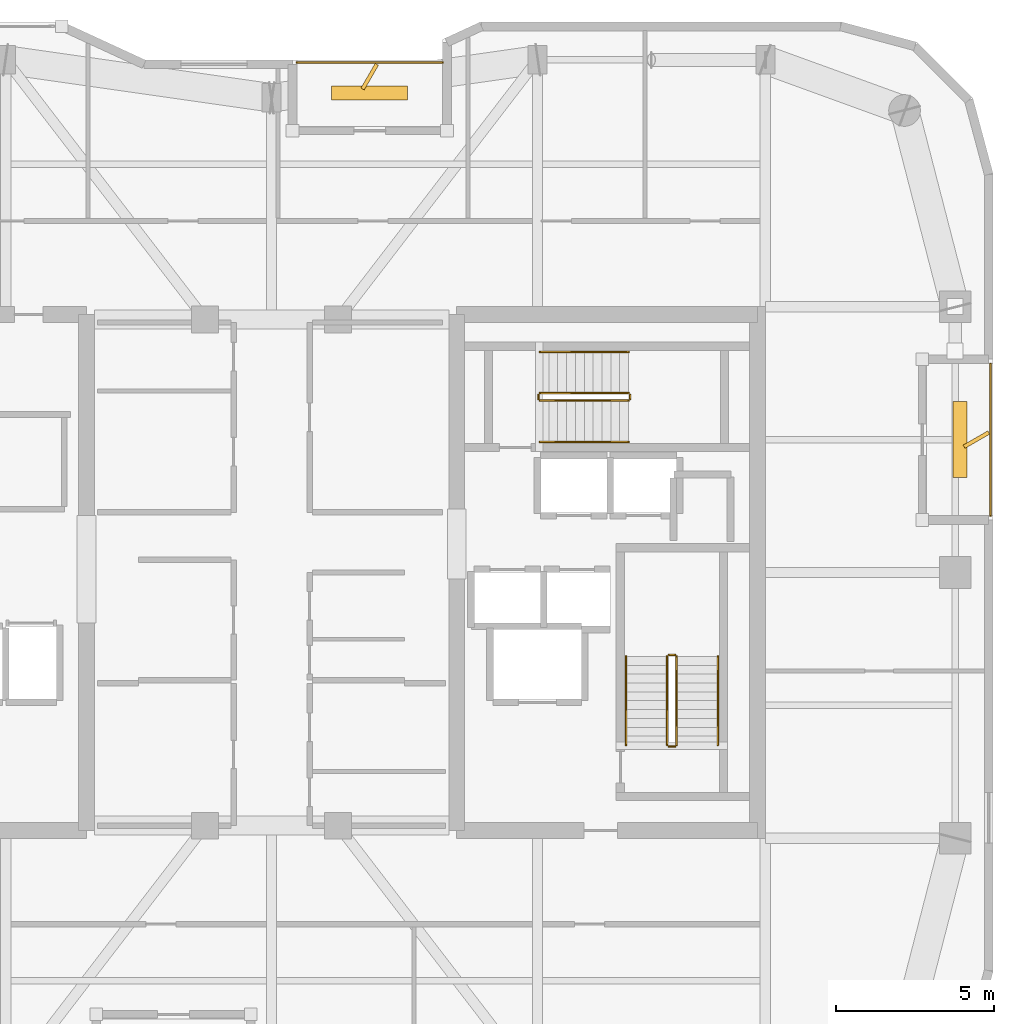
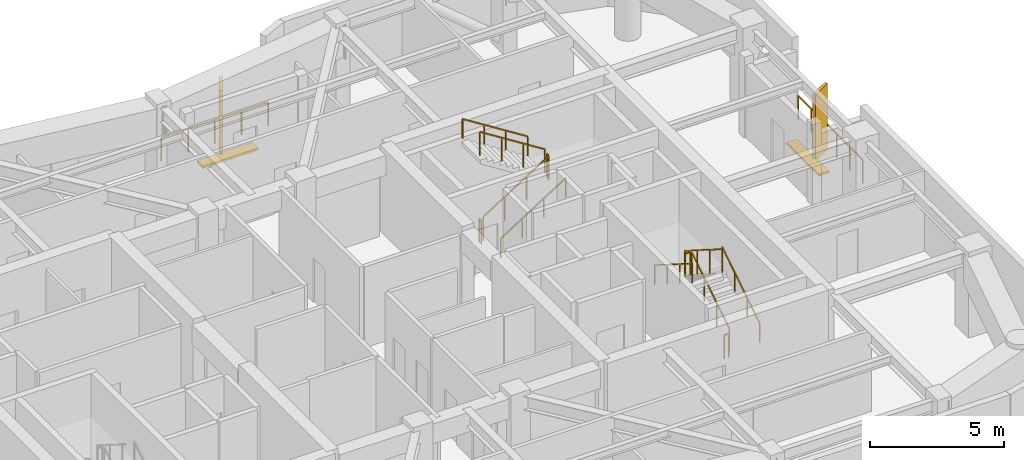
# One storey, part 15 of 15: 14 railings, 4 shading devices.
"""IFC4 building model written with IfcOpenShell, lengths in metres."""

from ifc_helpers import new_model, si_unit, direction, frame, origin, origin_2d, place, context, subcontext, project, spatial, rectangle, extrude, material, type_object, element, save


model = new_model("IFC4")

# Units and contexts
model_context = context("Model", 3, precision=1e-05, world=origin(), true_north=direction((0.0, 1.0)))
body_context = subcontext(model_context, "Body", "Model", "MODEL_VIEW")
ifc_project = project(units=[si_unit("LENGTHUNIT", "METRE"), si_unit("AREAUNIT", "SQUARE_METRE"), si_unit("VOLUMEUNIT", "CUBIC_METRE"), si_unit("PLANEANGLEUNIT", "RADIAN"), si_unit("MASSUNIT", "GRAM", prefix="KILO")], contexts=[model_context])

# Site, building, storey
site_placement = place(None, origin())
site = spatial("IfcSite", under=ifc_project, at=site_placement, CompositionType="ELEMENT")
building_placement = place(site_placement, origin())
building = spatial("IfcBuilding", under=site, at=building_placement, Name="Kiyonajd Concourse Tower", CompositionType="ELEMENT")
storey_placement = place(building_placement, frame((0.0, 0.0, 262.800048828125)))
storey = spatial("IfcBuildingStorey", under=building, at=storey_placement, Name="L66", CompositionType="ELEMENT", Elevation=262.800048828125)

# Railings
ifc_material_1 = material(Name="Thermally Broken Anodised Aluminium", Category="aluminium")
railing_type_1 = type_object("IfcRailingType", Name="RL-GRD-LOG", PredefinedType="GUARDRAIL", material=ifc_material_1)
railing_1_placement = place(storey_placement, frame((53.39990234375, 52.1201171875, 0.0)))
element("IfcRailing", 1, at=railing_1_placement, inside=storey, type_object=railing_type_1, Name="L66 Engawa Loggia Perimeter Guard LOG-N", PredefinedType="GUARDRAIL", context=body_context, shape_type="SweptSolid", body=[
    extrude(rectangle(XDim=0.048095703125, YDim=0.048095703125, at=origin_2d()), frame((0.0, 0.0, 1.076171875), z_axis=(-1.0, 0.0, 0.0), x_axis=(0.0, -1.0, 0.0)), (0.0, 0.0, 1.0), 4.599853515625),
    extrude(rectangle(XDim=0.0419921875, YDim=0.0419921875, at=origin_2d()), origin(), (0.0, 0.0, 1.0), 1.052001953125),
    extrude(rectangle(XDim=0.0419921875, YDim=0.0419921875, at=origin_2d()), frame((-1.14990234375, 0.0, 0.0)), (0.0, 0.0, 1.0), 1.052001953125),
    extrude(rectangle(XDim=0.0419921875, YDim=0.0419921875, at=origin_2d()), frame((-2.2998046875, 0.0, 0.0)), (0.0, 0.0, 1.0), 1.052001953125),
    extrude(rectangle(XDim=0.0419921875, YDim=0.0419921875, at=origin_2d()), frame((-3.449951171875, 0.0, 0.0)), (0.0, 0.0, 1.0), 1.052001953125),
    extrude(rectangle(XDim=0.0419921875, YDim=0.0419921875, at=origin_2d()), frame((-4.599853515625, 0.0, 0.0)), (0.0, 0.0, 1.0), 1.052001953125),
])
railing_2_placement = place(storey_placement, frame((70.719970703125, 37.800048828125, 0.0)))
element("IfcRailing", 2, at=railing_2_placement, inside=storey, type_object=railing_type_1, Name="L66 Engawa Loggia Perimeter Guard LOG-E", PredefinedType="GUARDRAIL", context=body_context, shape_type="SweptSolid", body=[
    extrude(rectangle(XDim=0.048095703125, YDim=0.048095703125, at=origin_2d()), frame((0.0, 0.0, 1.076171875), z_axis=(0.0, 1.0, 0.0), x_axis=(-1.0, 0.0, 0.0)), (0.0, 0.0, 1.0), 4.800048828125),
    extrude(rectangle(XDim=0.0419921875, YDim=0.0419921875, at=origin_2d()), origin(), (0.0, 0.0, 1.0), 1.052001953125),
    extrude(rectangle(XDim=0.0419921875, YDim=0.0419921875, at=origin_2d()), frame((0.0, 0.9599609375, 0.0)), (0.0, 0.0, 1.0), 1.052001953125),
    extrude(rectangle(XDim=0.0419921875, YDim=0.0419921875, at=origin_2d()), frame((0.0, 1.919921875, 0.0)), (0.0, 0.0, 1.0), 1.052001953125),
    extrude(rectangle(XDim=0.0419921875, YDim=0.0419921875, at=origin_2d()), frame((0.0, 2.880126953125, 0.0)), (0.0, 0.0, 1.0), 1.052001953125),
    extrude(rectangle(XDim=0.0419921875, YDim=0.0419921875, at=origin_2d()), frame((0.0, 3.840087890625, 0.0)), (0.0, 0.0, 1.0), 1.052001953125),
    extrude(rectangle(XDim=0.0419921875, YDim=0.0419921875, at=origin_2d()), frame((0.0, 4.800048828125, 0.0)), (0.0, 0.0, 1.0), 1.052001953125),
])
ifc_material_2 = material(Name="Steel ASTM A500 Grade C", Category="steel")
railing_type_2 = type_object("IfcRailingType", Name="RL-GRD-STR", PredefinedType="GUARDRAIL", material=ifc_material_2)
railing_3_placement = place(storey_placement, frame((60.800048828125, 30.550048828125, 0.17724609375)))
element("IfcRailing", 3, at=railing_3_placement, inside=storey, type_object=railing_type_2, Name="L66 ST2 stair guard 1", PredefinedType="GUARDRAIL", context=body_context, shape_type="SweptSolid", body=[
    extrude(rectangle(XDim=0.048095703125, YDim=0.048095703125, at=origin_2d()), frame((0.0, 0.0, 1.076171875), z_axis=(0.0, 0.844908973607, 0.534910110503), x_axis=(-1.0, 0.0, 0.0)), (0.0, 0.0, 1.0), 3.31396484375),
    extrude(rectangle(XDim=0.0419921875, YDim=0.0419921875, at=origin_2d()), origin(), (0.0, 0.0, 1.0), 1.052001953125),
    extrude(rectangle(XDim=0.0419921875, YDim=0.0419921875, at=origin_2d()), frame((0.0, 0.933349609375, 0.5908203125)), (0.0, 0.0, 1.0), 1.052001953125),
    extrude(rectangle(XDim=0.0419921875, YDim=0.0419921875, at=origin_2d()), frame((0.0, 1.86669921875, 1.181884765625)), (0.0, 0.0, 1.0), 1.052001953125),
    extrude(rectangle(XDim=0.0419921875, YDim=0.0419921875, at=origin_2d()), frame((0.0, 2.800048828125, 1.772705078125)), (0.0, 0.0, 1.0), 1.052001953125),
])
railing_4_placement = place(storey_placement, frame((60.75, 33.39990234375, 1.949951171875)))
element("IfcRailing", 4, at=railing_4_placement, inside=storey, type_object=railing_type_2, Name="L66 ST2 stair guard 2", PredefinedType="GUARDRAIL", context=body_context, shape_type="SweptSolid", body=[
    extrude(rectangle(XDim=0.048095703125, YDim=0.048095703125, at=origin_2d()), frame((0.0, 0.0, 1.076171875), z_axis=(-1.0, 0.0, 0.0), x_axis=(0.0, -1.0, 0.0)), (0.0, 0.0, 1.0), 0.199951171875),
    extrude(rectangle(XDim=0.0419921875, YDim=0.0419921875, at=origin_2d()), origin(), (0.0, 0.0, 1.0), 1.052001953125),
    extrude(rectangle(XDim=0.0419921875, YDim=0.0419921875, at=origin_2d()), frame((-0.199951171875, 0.0, 0.0)), (0.0, 0.0, 1.0), 1.052001953125),
])
railing_5_placement = place(storey_placement, frame((60.5, 33.35009765625, 2.127197265625)))
element("IfcRailing", 5, at=railing_5_placement, inside=storey, type_object=railing_type_2, Name="L66 ST2 stair guard 3", PredefinedType="GUARDRAIL", context=body_context, shape_type="SweptSolid", body=[
    extrude(rectangle(XDim=0.048095703125, YDim=0.048095703125, at=origin_2d()), frame((0.0, 0.0, 1.076171875), z_axis=(0.0, -0.844908973607, 0.534910110503), x_axis=(1.0, 0.0, 0.0)), (0.0, 0.0, 1.0), 3.31396484375),
    extrude(rectangle(XDim=0.0419921875, YDim=0.0419921875, at=origin_2d()), origin(), (0.0, 0.0, 1.0), 1.052001953125),
    extrude(rectangle(XDim=0.0419921875, YDim=0.0419921875, at=origin_2d()), frame((0.0, -0.933349609375, 0.5908203125)), (0.0, 0.0, 1.0), 1.052001953125),
    extrude(rectangle(XDim=0.0419921875, YDim=0.0419921875, at=origin_2d()), frame((0.0, -1.86669921875, 1.181884765625)), (0.0, 0.0, 1.0), 1.052001953125),
    extrude(rectangle(XDim=0.0419921875, YDim=0.0419921875, at=origin_2d()), frame((0.0, -2.800048828125, 1.772705078125)), (0.0, 0.0, 1.0), 1.052001953125),
])
railing_6_placement = place(storey_placement, frame((60.75, 30.5, 0.0)))
element("IfcRailing", 6, at=railing_6_placement, inside=storey, type_object=railing_type_2, Name="L66 ST2 stair guard 4", PredefinedType="GUARDRAIL", context=body_context, shape_type="SweptSolid", body=[
    extrude(rectangle(XDim=0.048095703125, YDim=0.048095703125, at=origin_2d()), frame((0.0, 0.0, 1.076171875), z_axis=(-1.0, 0.0, 0.0), x_axis=(0.0, -1.0, 0.0)), (0.0, 0.0, 1.0), 0.199951171875),
    extrude(rectangle(XDim=0.0419921875, YDim=0.0419921875, at=origin_2d()), origin(), (0.0, 0.0, 1.0), 1.052001953125),
    extrude(rectangle(XDim=0.0419921875, YDim=0.0419921875, at=origin_2d()), frame((-0.199951171875, 0.0, 0.0)), (0.0, 0.0, 1.0), 1.052001953125),
])
railing_7_placement = place(storey_placement, frame((56.47998046875, 41.429931640625, 0.17724609375)))
element("IfcRailing", 7, at=railing_7_placement, inside=storey, type_object=railing_type_2, Name="L66 ST3 stair guard 1", PredefinedType="GUARDRAIL", context=body_context, shape_type="SweptSolid", body=[
    extrude(rectangle(XDim=0.048095703125, YDim=0.048095703125, at=origin_2d()), frame((0.0, 0.0, 1.076171875), z_axis=(0.844908973607, 0.0, 0.534910110503), x_axis=(0.0, 1.0, 0.0)), (0.0, 0.0, 1.0), 3.31396484375),
    extrude(rectangle(XDim=0.0419921875, YDim=0.0419921875, at=origin_2d()), origin(), (0.0, 0.0, 1.0), 1.052001953125),
    extrude(rectangle(XDim=0.0419921875, YDim=0.0419921875, at=origin_2d()), frame((0.933349609375, 0.0, 0.5908203125)), (0.0, 0.0, 1.0), 1.052001953125),
    extrude(rectangle(XDim=0.0419921875, YDim=0.0419921875, at=origin_2d()), frame((1.86669921875, 0.0, 1.181884765625)), (0.0, 0.0, 1.0), 1.052001953125),
    extrude(rectangle(XDim=0.0419921875, YDim=0.0419921875, at=origin_2d()), frame((2.800048828125, 0.0, 1.772705078125)), (0.0, 0.0, 1.0), 1.052001953125),
])
railing_8_placement = place(storey_placement, frame((59.330078125, 41.47998046875, 1.949951171875)))
element("IfcRailing", 8, at=railing_8_placement, inside=storey, type_object=railing_type_2, Name="L66 ST3 stair guard 2", PredefinedType="GUARDRAIL", context=body_context, shape_type="SweptSolid", body=[
    extrude(rectangle(XDim=0.048095703125, YDim=0.048095703125, at=origin_2d()), frame((0.0, 0.0, 1.076171875), z_axis=(0.0, 1.0, 0.0), x_axis=(-1.0, 0.0, 0.0)), (0.0, 0.0, 1.0), 0.14013671875),
    extrude(rectangle(XDim=0.0419921875, YDim=0.0419921875, at=origin_2d()), origin(), (0.0, 0.0, 1.0), 1.052001953125),
    extrude(rectangle(XDim=0.0419921875, YDim=0.0419921875, at=origin_2d()), frame((0.0, 0.14013671875, 0.0)), (0.0, 0.0, 1.0), 1.052001953125),
])
railing_9_placement = place(storey_placement, frame((59.280029296875, 41.669921875, 2.127197265625)))
element("IfcRailing", 9, at=railing_9_placement, inside=storey, type_object=railing_type_2, Name="L66 ST3 stair guard 3", PredefinedType="GUARDRAIL", context=body_context, shape_type="SweptSolid", body=[
    extrude(rectangle(XDim=0.048095703125, YDim=0.048095703125, at=origin_2d()), frame((0.0, 0.0, 1.076171875), z_axis=(-0.844908973607, 0.0, 0.534910110503), x_axis=(0.0, -1.0, 0.0)), (0.0, 0.0, 1.0), 3.31396484375),
    extrude(rectangle(XDim=0.0419921875, YDim=0.0419921875, at=origin_2d()), origin(), (0.0, 0.0, 1.0), 1.052001953125),
    extrude(rectangle(XDim=0.0419921875, YDim=0.0419921875, at=origin_2d()), frame((-0.933349609375, 0.0, 0.5908203125)), (0.0, 0.0, 1.0), 1.052001953125),
    extrude(rectangle(XDim=0.0419921875, YDim=0.0419921875, at=origin_2d()), frame((-1.86669921875, 0.0, 1.181884765625)), (0.0, 0.0, 1.0), 1.052001953125),
    extrude(rectangle(XDim=0.0419921875, YDim=0.0419921875, at=origin_2d()), frame((-2.800048828125, 0.0, 1.772705078125)), (0.0, 0.0, 1.0), 1.052001953125),
])
railing_10_placement = place(storey_placement, frame((56.429931640625, 41.47998046875, 0.0)))
element("IfcRailing", 10, at=railing_10_placement, inside=storey, type_object=railing_type_2, Name="L66 ST3 stair guard 4", PredefinedType="GUARDRAIL", context=body_context, shape_type="SweptSolid", body=[
    extrude(rectangle(XDim=0.048095703125, YDim=0.048095703125, at=origin_2d()), frame((0.0, 0.0, 1.076171875), z_axis=(0.0, 1.0, 0.0), x_axis=(-1.0, 0.0, 0.0)), (0.0, 0.0, 1.0), 0.14013671875),
    extrude(rectangle(XDim=0.0419921875, YDim=0.0419921875, at=origin_2d()), origin(), (0.0, 0.0, 1.0), 1.052001953125),
    extrude(rectangle(XDim=0.0419921875, YDim=0.0419921875, at=origin_2d()), frame((0.0, 0.14013671875, 0.0)), (0.0, 0.0, 1.0), 1.052001953125),
])
ifc_material_3 = material(Name="Brushed Stainless Steel Cab Assembly", Category="steel")
railing_type_3 = type_object("IfcRailingType", Name="RL-HND-900", PredefinedType="HANDRAIL", material=ifc_material_3)
railing_11_placement = place(storey_placement, frame((62.10009765625, 30.550048828125, 0.17724609375)))
element("IfcRailing", 11, at=railing_11_placement, inside=storey, type_object=railing_type_3, Name="L66 ST2 stair handrail 1", PredefinedType="HANDRAIL", context=body_context, shape_type="SweptSolid", body=[
    extrude(rectangle(XDim=0.048095703125, YDim=0.048095703125, at=origin_2d()), frame((0.0, 0.0, 0.8759765625), z_axis=(0.0, 0.844908973607, 0.534910110503), x_axis=(-1.0, 0.0, 0.0)), (0.0, 0.0, 1.0), 3.31396484375),
    extrude(rectangle(XDim=0.0419921875, YDim=0.0419921875, at=origin_2d()), origin(), (0.0, 0.0, 1.0), 0.851806640625),
    extrude(rectangle(XDim=0.0419921875, YDim=0.0419921875, at=origin_2d()), frame((0.0, 0.933349609375, 0.5908203125)), (0.0, 0.0, 1.0), 0.851806640625),
    extrude(rectangle(XDim=0.0419921875, YDim=0.0419921875, at=origin_2d()), frame((0.0, 1.86669921875, 1.181884765625)), (0.0, 0.0, 1.0), 0.851806640625),
    extrude(rectangle(XDim=0.0419921875, YDim=0.0419921875, at=origin_2d()), frame((0.0, 2.800048828125, 1.772705078125)), (0.0, 0.0, 1.0), 0.851806640625),
])
railing_12_placement = place(storey_placement, frame((59.199951171875, 33.35009765625, 2.127197265625)))
element("IfcRailing", 12, at=railing_12_placement, inside=storey, type_object=railing_type_3, Name="L66 ST2 stair handrail 2", PredefinedType="HANDRAIL", context=body_context, shape_type="SweptSolid", body=[
    extrude(rectangle(XDim=0.048095703125, YDim=0.048095703125, at=origin_2d()), frame((0.0, 0.0, 0.8759765625), z_axis=(0.0, -0.844908973607, 0.534910110503), x_axis=(1.0, 0.0, 0.0)), (0.0, 0.0, 1.0), 3.31396484375),
    extrude(rectangle(XDim=0.0419921875, YDim=0.0419921875, at=origin_2d()), origin(), (0.0, 0.0, 1.0), 0.851806640625),
    extrude(rectangle(XDim=0.0419921875, YDim=0.0419921875, at=origin_2d()), frame((0.0, -0.933349609375, 0.5908203125)), (0.0, 0.0, 1.0), 0.851806640625),
    extrude(rectangle(XDim=0.0419921875, YDim=0.0419921875, at=origin_2d()), frame((0.0, -1.86669921875, 1.181884765625)), (0.0, 0.0, 1.0), 0.851806640625),
    extrude(rectangle(XDim=0.0419921875, YDim=0.0419921875, at=origin_2d()), frame((0.0, -2.800048828125, 1.772705078125)), (0.0, 0.0, 1.0), 0.851806640625),
])
railing_13_placement = place(storey_placement, frame((56.47998046875, 40.1298828125, 0.17724609375)))
element("IfcRailing", 13, at=railing_13_placement, inside=storey, type_object=railing_type_3, Name="L66 ST3 stair handrail 1", PredefinedType="HANDRAIL", context=body_context, shape_type="SweptSolid", body=[
    extrude(rectangle(XDim=0.048095703125, YDim=0.048095703125, at=origin_2d()), frame((0.0, 0.0, 0.8759765625), z_axis=(0.844908973607, 0.0, 0.534910110503), x_axis=(0.0, 1.0, 0.0)), (0.0, 0.0, 1.0), 3.31396484375),
    extrude(rectangle(XDim=0.0419921875, YDim=0.0419921875, at=origin_2d()), origin(), (0.0, 0.0, 1.0), 0.851806640625),
    extrude(rectangle(XDim=0.0419921875, YDim=0.0419921875, at=origin_2d()), frame((0.933349609375, 0.0, 0.5908203125)), (0.0, 0.0, 1.0), 0.851806640625),
    extrude(rectangle(XDim=0.0419921875, YDim=0.0419921875, at=origin_2d()), frame((1.86669921875, 0.0, 1.181884765625)), (0.0, 0.0, 1.0), 0.851806640625),
    extrude(rectangle(XDim=0.0419921875, YDim=0.0419921875, at=origin_2d()), frame((2.800048828125, 0.0, 1.772705078125)), (0.0, 0.0, 1.0), 0.851806640625),
])
railing_14_placement = place(storey_placement, frame((59.280029296875, 42.969970703125, 2.127197265625)))
element("IfcRailing", 14, at=railing_14_placement, inside=storey, type_object=railing_type_3, Name="L66 ST3 stair handrail 2", PredefinedType="HANDRAIL", context=body_context, shape_type="SweptSolid", body=[
    extrude(rectangle(XDim=0.048095703125, YDim=0.048095703125, at=origin_2d()), frame((0.0, 0.0, 0.8759765625), z_axis=(-0.844908973607, 0.0, 0.534910110503), x_axis=(0.0, -1.0, 0.0)), (0.0, 0.0, 1.0), 3.31396484375),
    extrude(rectangle(XDim=0.0419921875, YDim=0.0419921875, at=origin_2d()), origin(), (0.0, 0.0, 1.0), 0.851806640625),
    extrude(rectangle(XDim=0.0419921875, YDim=0.0419921875, at=origin_2d()), frame((-0.933349609375, 0.0, 0.5908203125)), (0.0, 0.0, 1.0), 0.851806640625),
    extrude(rectangle(XDim=0.0419921875, YDim=0.0419921875, at=origin_2d()), frame((-1.86669921875, 0.0, 1.181884765625)), (0.0, 0.0, 1.0), 0.851806640625),
    extrude(rectangle(XDim=0.0419921875, YDim=0.0419921875, at=origin_2d()), frame((-2.800048828125, 0.0, 1.772705078125)), (0.0, 0.0, 1.0), 0.851806640625),
])

# Shading devices
ifc_material_4 = material(Name="Precast concrete C50/60", Category="concrete")
shading_device_type_1 = type_object("IfcShadingDeviceType", Name="SH-FIN-900", PredefinedType="USERDEFINED", material=ifc_material_4)
for number, where, z_axis, x_axis, name in (
    (15, (51.10009765625, 51.669921875, 0.0), (0.0, 0.0, 1.0), (0.5, 0.866025403784, 0.0), "L66 Angled Koshi Solar Fin LOG-N"),
    (16, (70.27001953125, 40.199951171875, 0.0), (0.0, 0.0, 1.0), (0.866025403784, 0.5, 0.0), "L66 Angled Koshi Solar Fin LOG-E"),
):
    element("IfcShadingDevice", number, at=place(storey_placement, frame(where, z_axis=z_axis, x_axis=x_axis)), inside=storey, type_object=shading_device_type_1, Name=name, ObjectType="FIN", PredefinedType="USERDEFINED", context=body_context, shape_type="SweptSolid", body=[
        extrude(rectangle(XDim=0.89990234375, YDim=0.1201171875, at=origin_2d()), origin(), (0.0, 0.0, 1.0), 3.0),
    ])
shading_device_type_2 = type_object("IfcShadingDeviceType", Name="SH-LVR-600", PredefinedType="JALOUSIE", material=ifc_material_1)
for number, where, z_axis, x_axis, name in (
    (17, (51.10009765625, 51.14990234375, 0.0), (0.0, 0.0, 1.0), (1.0, 0.0, 0.0), "L66 Loggia Threshold Louver LOG-N"),
    (18, (69.75, 40.199951171875, 0.0), (0.0, 0.0, 1.0), (0.0, 1.0, 0.0), "L66 Loggia Threshold Louver LOG-E"),
):
    element("IfcShadingDevice", number, at=place(storey_placement, frame(where, z_axis=z_axis, x_axis=x_axis)), inside=storey, type_object=shading_device_type_2, Name=name, PredefinedType="JALOUSIE", context=body_context, shape_type="SweptSolid", body=[
        extrude(rectangle(XDim=2.39990234375, YDim=0.449951171875, at=origin_2d()), origin(), (0.0, 0.0, 1.0), 0.10009765625),
    ])

save(model, "model.ifc")
